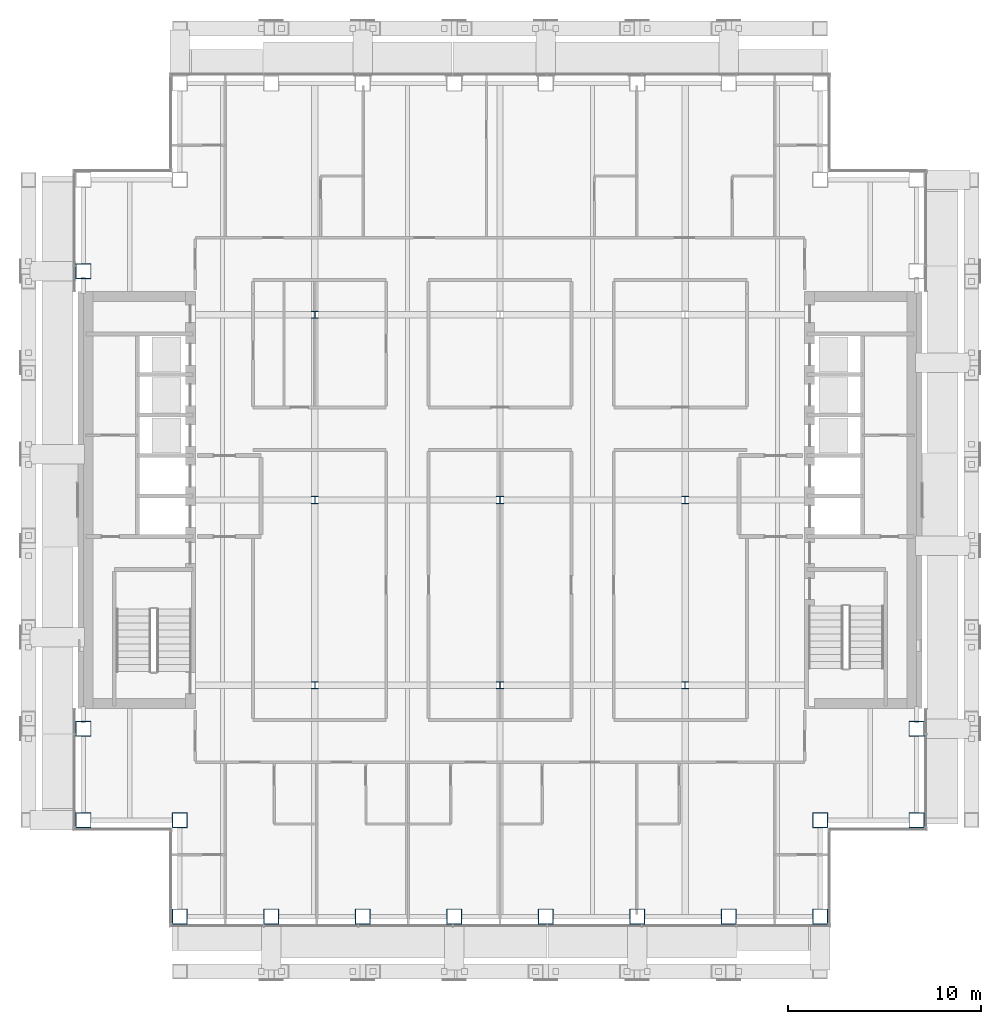
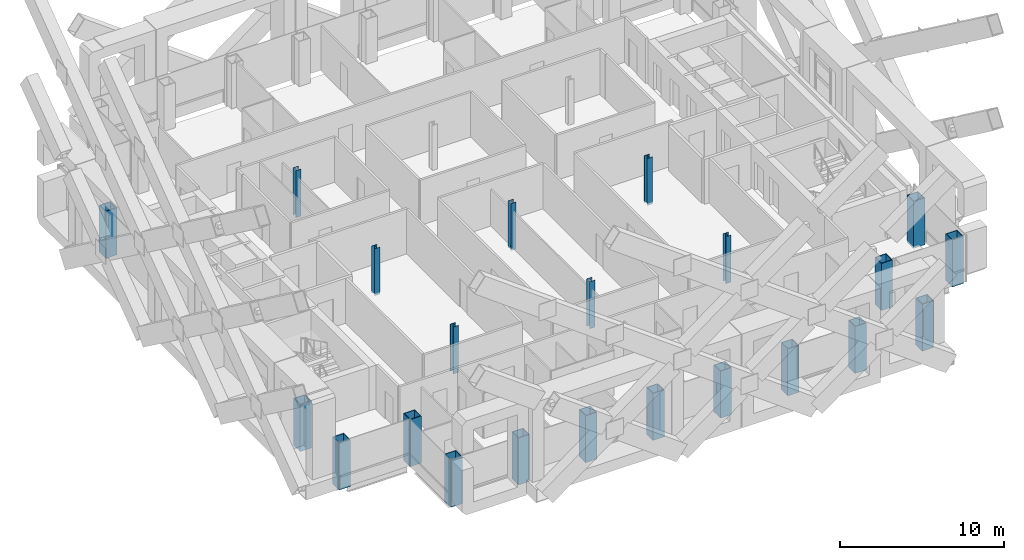
# One storey, part 1 of 25: 22 columns.
"""IFC4 building model written with IfcOpenShell, lengths in metres."""

from ifc_helpers import new_model, si_unit, direction, frame, origin, origin_2d, place, context, subcontext, project, spatial, hollow_rectangle, i_section, extrude, material, material_profile, profile_set, type_object, element, save


model = new_model("IFC4")

# Units and contexts
model_context = context("Model", 3, precision=1e-05, world=origin(), true_north=direction((0.0, 1.0)))
body_context = subcontext(model_context, "Body", "Model", "MODEL_VIEW")
ifc_project = project(units=[si_unit("LENGTHUNIT", "METRE"), si_unit("AREAUNIT", "SQUARE_METRE"), si_unit("VOLUMEUNIT", "CUBIC_METRE"), si_unit("PLANEANGLEUNIT", "RADIAN"), si_unit("MASSUNIT", "GRAM", prefix="KILO")], contexts=[model_context])

# Site, building, storey
site_placement = place(None, origin())
site = spatial("IfcSite", under=ifc_project, at=site_placement, CompositionType="ELEMENT")
building_placement = place(site_placement, origin())
building = spatial("IfcBuilding", under=site, at=building_placement, Name="Cobrizo Arcos Hotel Tower", CompositionType="ELEMENT")
storey_placement = place(building_placement, frame((0.0, 0.0, 148.0)))
storey = spatial("IfcBuildingStorey", under=building, at=storey_placement, Name="L37", CompositionType="ELEMENT", Elevation=148.0)

# Columns
ifc_material_1 = material(Name="Steel ASTM A572 Grade 50", Category="steel")
ifc_material_profile_1 = material_profile(ifc_material_1, hollow_rectangle(XDim=0.800048828125, YDim=0.800048828125, WallThickness=0.044921875, at=origin_2d()), Name="BOX 800X800X45")
ifc_profile_set_1 = profile_set([ifc_material_profile_1], Name="Steel ASTM A572 Grade 50")
column_type_1 = type_object("IfcColumnType", Name="BOX 800X800X45 column", PredefinedType="COLUMN", material=ifc_profile_set_1)
for number, where, z_axis, x_axis, name in (
    (1, (-16.60009765625, -21.60009765625, -0.14990234375), (0.0, 0.0, 1.0), (1.0, 0.0, 0.0), "Perimeter column C8, L37, no. 01"),
    (2, (-11.85693359375, -21.60009765625, -0.14990234375), (0.0, 0.0, 1.0), (1.0, 0.0, 0.0), "Perimeter column C8, L37, no. 03"),
    (3, (-7.114013671875, -21.60009765625, -0.14990234375), (0.0, 0.0, 1.0), (1.0, 0.0, 0.0), "Perimeter column C8, L37, no. 05"),
    (4, (-2.37109375, -21.60009765625, -0.14990234375), (0.0, 0.0, 1.0), (1.0, 0.0, 0.0), "Perimeter column C8, L37, no. 07"),
    (5, (2.37109375, -21.60009765625, -0.14990234375), (0.0, 0.0, 1.0), (1.0, 0.0, 0.0), "Perimeter column C8, L37, no. 09"),
    (6, (7.114013671875, -21.60009765625, -0.14990234375), (0.0, 0.0, 1.0), (1.0, 0.0, 0.0), "Perimeter column C8, L37, no. 11"),
    (7, (11.85693359375, -21.60009765625, -0.14990234375), (0.0, 0.0, 1.0), (1.0, 0.0, 0.0), "Perimeter column C8, L37, no. 13"),
    (8, (16.60009765625, -21.60009765625, -0.14990234375), (0.0, 0.0, 1.0), (1.0, 0.0, 0.0), "Perimeter column C8, L37, no. 15"),
    (9, (21.60009765625, -16.60009765625, -0.14990234375), (0.0, 0.0, 1.0), (1.0, 0.0, 0.0), "Perimeter column C8, L37, no. 16"),
    (10, (-21.60009765625, -16.60009765625, -0.14990234375), (0.0, 0.0, 1.0), (1.0, 0.0, 0.0), "Perimeter column C8, L37, no. 17"),
    (11, (21.60009765625, -11.85693359375, -0.14990234375), (0.0, 0.0, 1.0), (1.0, 0.0, 0.0), "Perimeter column C8, L37, no. 18"),
    (12, (-21.60009765625, -11.85693359375, -0.14990234375), (0.0, 0.0, 1.0), (1.0, 0.0, 0.0), "Perimeter column C8, L37, no. 19"),
    (13, (-21.60009765625, 11.85693359375, -0.14990234375), (0.0, 0.0, 1.0), (1.0, 0.0, 0.0), "Perimeter column C8, L37, no. 21"),
    (14, (-16.60009765625, -16.60009765625, -0.14990234375), (0.0, 0.0, 1.0), (1.0, 0.0, 0.0), "Perimeter column C8, L37, no. 24"),
    (15, (16.60009765625, -16.60009765625, -0.14990234375), (0.0, 0.0, 1.0), (1.0, 0.0, 0.0), "Perimeter column C8, L37, no. 26"),
):
    element("IfcColumn", number, at=place(storey_placement, frame(where, z_axis=z_axis, x_axis=x_axis)), inside=storey, type_object=column_type_1, Name=name, PredefinedType="COLUMN", context=body_context, shape_type="SweptSolid", body=[
        extrude(hollow_rectangle(XDim=0.800048828125, YDim=0.800048828125, WallThickness=0.044921875, at=origin_2d()), origin(), (0.0, 0.0, 1.0), 3.5),
    ])
ifc_material_2 = material(Name="Steel ASTM A992 Grade 50", Category="steel")
ifc_material_profile_2 = material_profile(ifc_material_2, i_section(OverallWidth=0.373291015625, OverallDepth=0.373291015625, WebThickness=0.016357421875, FlangeThickness=0.026123046875, at=origin_2d()), Name="W14X132")
ifc_profile_set_2 = profile_set([ifc_material_profile_2], Name="Steel ASTM A992 Grade 50")
column_type_2 = type_object("IfcColumnType", Name="W14X132 interior column", PredefinedType="COLUMN", material=ifc_profile_set_2)
for number, where, z_axis, x_axis, name in (
    (16, (-9.60009765625, -9.60009765625, -0.14990234375), (0.0, 0.0, 1.0), (1.0, 0.0, 0.0), "Interior column C9, L37, no. 00"),
    (17, (-9.60009765625, 0.0, -0.14990234375), (0.0, 0.0, 1.0), (1.0, 0.0, 0.0), "Interior column C9, L37, no. 01"),
    (18, (-9.60009765625, 9.60009765625, -0.14990234375), (0.0, 0.0, 1.0), (1.0, 0.0, 0.0), "Interior column C9, L37, no. 02"),
    (19, (0.0, -9.60009765625, -0.14990234375), (0.0, 0.0, 1.0), (1.0, 0.0, 0.0), "Interior column C9, L37, no. 03"),
    (20, (0.0, 0.0, -0.14990234375), (0.0, 0.0, 1.0), (1.0, 0.0, 0.0), "Interior column C9, L37, no. 04"),
    (21, (9.60009765625, -9.60009765625, -0.14990234375), (0.0, 0.0, 1.0), (1.0, 0.0, 0.0), "Interior column C9, L37, no. 06"),
    (22, (9.60009765625, 0.0, -0.14990234375), (0.0, 0.0, 1.0), (1.0, 0.0, 0.0), "Interior column C9, L37, no. 07"),
):
    element("IfcColumn", number, at=place(storey_placement, frame(where, z_axis=z_axis, x_axis=x_axis)), inside=storey, type_object=column_type_2, Name=name, PredefinedType="COLUMN", context=body_context, shape_type="SweptSolid", body=[
        extrude(i_section(OverallWidth=0.373291015625, OverallDepth=0.373291015625, WebThickness=0.016357421875, FlangeThickness=0.026123046875, at=origin_2d()), origin(), (0.0, 0.0, 1.0), 3.5),
    ])

save(model, "model.ifc")
